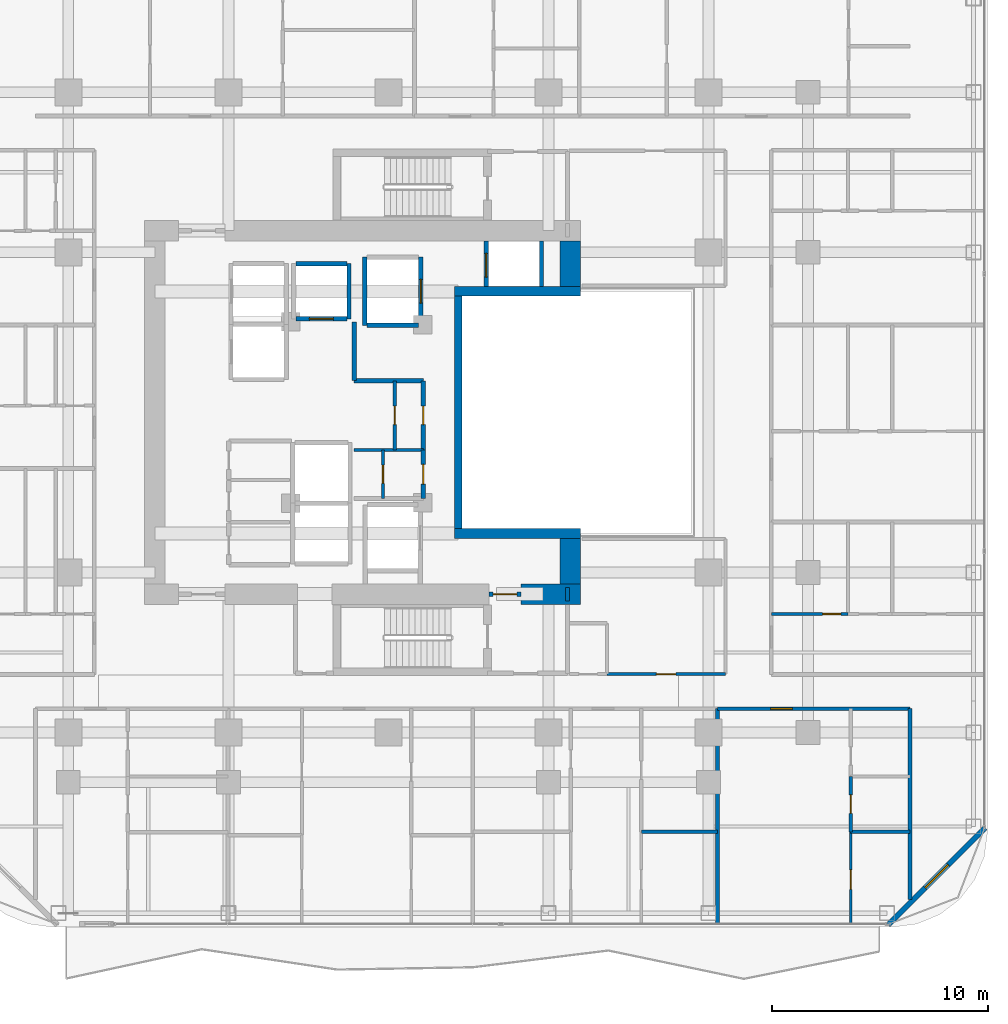
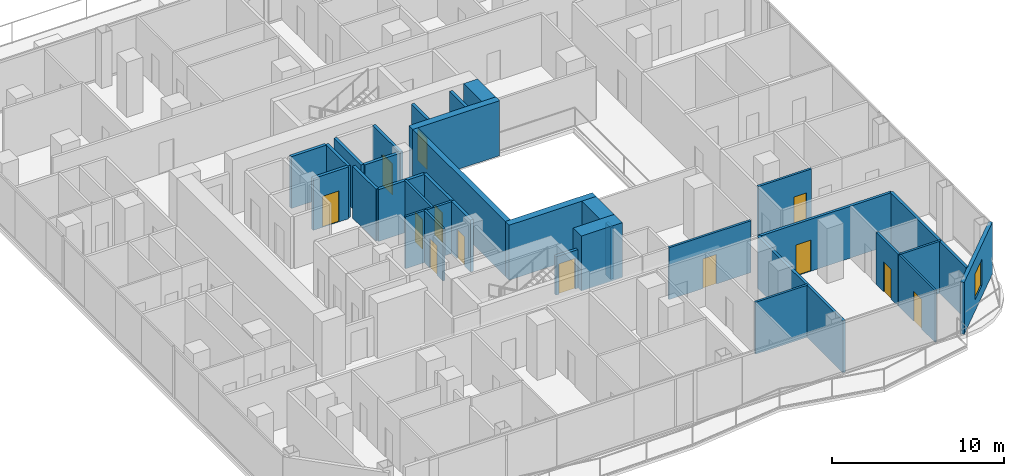
# One storey, part 23 of 29: 33 walls, 13 doors, 1 window, 14 openings.
"""IFC4 building model written with IfcOpenShell, lengths in metres."""

import ifcopenshell
import ifcopenshell.guid

model = None  # the IFC model being written
_history = None  # IfcOwnerHistory: only IFC2X3 demands one
_inside = {}  # id of a spatial element -> (the spatial element, [elements in it])
_under = {}  # id of a project, library or spatial element -> (it, [spatial elements below it])
_declared = {}  # id of a project -> (the project, [libraries it declares])
_typed = {}  # id of a type object -> (the type object, [elements of that type])
_made_of = {}  # id of a material, layer set ... -> (it, [elements and type objects made of it])


def new_model(schema):
    """Start an empty IFC model of exactly this schema.

    Asked for "IFC4X3", IfcOpenShell would pick the latest addendum, in which some entities
    have other attributes; the version numbers below select the first issue.
    IFC2X3 requires an IfcOwnerHistory on every rooted entity: one is made here for all.
    """
    global model, _history
    if schema == "IFC4X3":
        model = ifcopenshell.file(schema_version=(4, 3, 0, 0))
    else:
        model = ifcopenshell.file(schema=schema)
    _inside.clear()
    _under.clear()
    _declared.clear()
    _typed.clear()
    _made_of.clear()
    _history = None
    if model.schema == "IFC2X3":
        org = make("IfcOrganization", Name="unknown")
        user = make(
            "IfcPersonAndOrganization",
            ThePerson=make("IfcPerson", FamilyName="unknown"),
            TheOrganization=org,
        )
        app = make(
            "IfcApplication",
            ApplicationDeveloper=org,
            Version="unknown",
            ApplicationFullName="unknown",
            ApplicationIdentifier="unknown",
        )
        _history = make(
            "IfcOwnerHistory",
            OwningUser=user,
            OwningApplication=app,
            ChangeAction="ADDED",
            CreationDate=0,
        )
    return model


def make(cls, **values):
    """One entity of the class cls with the attributes given. An attribute that is None is left unset."""
    return model.create_entity(
        cls, **{name: value for name, value in values.items() if value is not None}
    )


def rooted(cls, **values):
    """An entity with a GlobalId (a new one), such as an element, a storey or a relation."""
    return make(cls, GlobalId=ifcopenshell.guid.new(), OwnerHistory=_history, **values)


def si_unit(unit_type, name, prefix=None):
    """IfcSIUnit, for example si_unit("LENGTHUNIT", "METRE", prefix="MILLI")."""
    return make("IfcSIUnit", UnitType=unit_type, Prefix=prefix, Name=name)


def assignment(units):
    """IfcUnitAssignment: the units of a project."""
    return None if units is None else make("IfcUnitAssignment", Units=units)


def point(xyz):
    """IfcCartesianPoint."""
    return None if xyz is None else make("IfcCartesianPoint", Coordinates=xyz)


def direction(xyz):
    """IfcDirection."""
    return None if xyz is None else make("IfcDirection", DirectionRatios=xyz)


def frame(location, z_axis=None, x_axis=None):
    """IfcAxis2Placement3D, a coordinate frame: its origin and axes. An axis left out is left unset."""
    return make(
        "IfcAxis2Placement3D",
        Location=point(location),
        Axis=direction(z_axis),
        RefDirection=direction(x_axis),
    )


def frame_2d(location, x_axis=None):
    """IfcAxis2Placement2D, a coordinate frame in the plane: its origin and x axis."""
    return make(
        "IfcAxis2Placement2D", Location=point(location), RefDirection=direction(x_axis)
    )


def origin():
    """The frame at (0, 0, 0) with its axes left unset."""
    return frame((0.0, 0.0, 0.0))


def place(relative_to, where):
    """IfcLocalPlacement: puts the frame where relative to a parent placement (None: the world)."""
    return make(
        "IfcLocalPlacement", PlacementRelTo=relative_to, RelativePlacement=where
    )


def context(
    kind, dimensions, precision=None, world=None, true_north=None, identifier=None
):
    """IfcGeometricRepresentationContext, for example the 3D "Model" context."""
    return make(
        "IfcGeometricRepresentationContext",
        ContextIdentifier=identifier,
        ContextType=kind,
        CoordinateSpaceDimension=dimensions,
        Precision=precision,
        WorldCoordinateSystem=world,
        TrueNorth=true_north,
    )


def subcontext(parent, identifier, kind, view, scale=None):
    """IfcGeometricRepresentationSubContext, for example "Body" below "Model"."""
    return make(
        "IfcGeometricRepresentationSubContext",
        ContextIdentifier=identifier,
        ContextType=kind,
        ParentContext=parent,
        TargetScale=scale,
        TargetView=view,
    )


def project(units=None, contexts=None):
    """IfcProject with its units and contexts."""
    return rooted(
        "IfcProject",
        Name="project",
        RepresentationContexts=contexts,
        UnitsInContext=assignment(units),
    )


def spatial(cls, under=None, at=None, **own):
    """A site, building, storey or space (cls), placed at a placement, below another one or the project."""
    s = rooted(cls, ObjectPlacement=at, **own)
    if under is not None:
        _under.setdefault(under.id(), (under, []))[1].append(s)
    return s


def profile(cls, at=None, kind="AREA", **sizes):
    """A parametric profile (cls). Its sizes go by their IFC names, for example OverallWidth=200.0."""
    return make(cls, ProfileType=kind, Position=at, **sizes)


def rectangle(**sizes):
    """IfcRectangleProfileDef."""
    return profile("IfcRectangleProfileDef", **sizes)


def extrude(swept, where, along, depth):
    """IfcExtrudedAreaSolid: the profile swept, set in the frame where, extruded along a direction by depth."""
    return make(
        "IfcExtrudedAreaSolid",
        SweptArea=swept,
        Position=where,
        ExtrudedDirection=direction(along),
        Depth=depth,
    )


def shape(context_of_items, identifier, shape_type, items):
    """IfcShapeRepresentation: the items that make up one representation, for example the "Body"."""
    return make(
        "IfcShapeRepresentation",
        ContextOfItems=context_of_items,
        RepresentationIdentifier=identifier,
        RepresentationType=shape_type,
        Items=items,
    )


def material(Name=None, Category=None):
    """IfcMaterial."""
    return make("IfcMaterial", Name=Name, Category=Category)


def layer(
    of_material, thickness, ventilated=None, Name=None, Category=None, Priority=None
):
    """IfcMaterialLayer: one layer of a wall or slab, of a material (None: an air gap)."""
    return make(
        "IfcMaterialLayer",
        Material=of_material,
        LayerThickness=thickness,
        IsVentilated=ventilated,
        Name=Name,
        Category=Category,
        Priority=Priority,
    )


def layer_set(layers, Name=None):
    """IfcMaterialLayerSet."""
    return make("IfcMaterialLayerSet", MaterialLayers=layers, LayerSetName=Name)


def made_of(thing, what):
    """Note that an element or type object is made of a material, layer set ...; save() writes the relation."""
    if what is not None:
        _made_of.setdefault(what.id(), (what, []))[1].append(thing)
    return thing


def type_object(cls, material=None, **own):
    """A type object (cls), such as IfcWallType, which elements share."""
    return made_of(rooted(cls, **own), material)


def element(
    cls,
    number,
    at=None,
    inside=None,
    cuts=None,
    type_object=None,
    material=None,
    context=None,
    identifier="Body",
    shape_type=None,
    held_by="IfcProductDefinitionShape",
    body=None,
    shapes=None,
    **own,
):
    """One element of the class cls, such as IfcWall. Its Tag is "e" and its number.

    at: its placement. inside: the storey or other place that contains it. cuts: it is an
    opening in that element (IfcRelVoidsElement). A single representation is given by context,
    identifier, shape_type and body (its items); several are given by shapes. held_by: the class
    of the entity that holds the representations. save() writes the other relations.
    """
    e = rooted(cls, Tag="e%d" % number, ObjectPlacement=at, **own)
    if body is not None:
        shapes = [shape(context, identifier, shape_type, body)]
    if shapes is not None:
        e.Representation = make(held_by, Representations=shapes)
    if inside is not None:
        _inside.setdefault(inside.id(), (inside, []))[1].append(e)
    if cuts is not None:
        rooted(
            "IfcRelVoidsElement", RelatingBuildingElement=cuts, RelatedOpeningElement=e
        )
    if type_object is not None:
        _typed.setdefault(type_object.id(), (type_object, []))[1].append(e)
    return made_of(e, material)


def fill(opening, filler):
    """IfcRelFillsElement: the door or window that sits in an opening."""
    return rooted(
        "IfcRelFillsElement",
        RelatingOpeningElement=opening,
        RelatedBuildingElement=filler,
    )


def aggregate(whole, parts):
    """IfcRelAggregates: a whole, such as a stair, and the parts it consists of."""
    return rooted("IfcRelAggregates", RelatingObject=whole, RelatedObjects=parts)


def save(model, path):
    """Write the relations noted so far, then the file.

    IfcRelAggregates (storeys below a building ...), IfcRelContainedInSpatialStructure (elements
    in a storey), IfcRelDefinesByType, IfcRelAssociatesMaterial and IfcRelDeclares: one each for
    every whole, place, type object, material and project.
    """
    for whole, parts in _under.values():
        aggregate(whole, parts)
    for where, things in _inside.values():
        rooted(
            "IfcRelContainedInSpatialStructure",
            RelatedElements=things,
            RelatingStructure=where,
        )
    for kind, things in _typed.values():
        rooted("IfcRelDefinesByType", RelatedObjects=things, RelatingType=kind)
    for what, things in _made_of.values():
        rooted("IfcRelAssociatesMaterial", RelatedObjects=things, RelatingMaterial=what)
    for by, libraries in _declared.values():
        rooted("IfcRelDeclares", RelatingContext=by, RelatedDefinitions=libraries)
    model.write(path)


model = new_model("IFC4")

# Units and contexts
model_context = context("Model", 3, precision=1e-05, world=origin(), true_north=direction((0.0, 1.0)))
body_context = subcontext(model_context, "Body", "Model", "MODEL_VIEW")
ifc_project = project(units=[si_unit("LENGTHUNIT", "METRE"), si_unit("AREAUNIT", "SQUARE_METRE"), si_unit("VOLUMEUNIT", "CUBIC_METRE"), si_unit("PLANEANGLEUNIT", "RADIAN"), si_unit("MASSUNIT", "GRAM", prefix="KILO")], contexts=[model_context])

# Site, building, storey
site_placement = place(None, origin())
site = spatial("IfcSite", under=ifc_project, at=site_placement, CompositionType="ELEMENT")
building_placement = place(site_placement, origin())
building = spatial("IfcBuilding", under=site, at=building_placement, Name="Khorvyn Point Tower", CompositionType="ELEMENT")
storey_placement = place(building_placement, frame((0.0, 0.0, 136.800048828125)))
storey = spatial("IfcBuildingStorey", under=building, at=storey_placement, Name="L34", CompositionType="ELEMENT", Elevation=136.800048828125)

# Wall, opening, door
ifc_material_1 = material(Name="Double acoustic gypsum on twin steel stud", Category="steel")
ifc_layer_1 = layer(ifc_material_1, 0.179931640625)
ifc_layer_set_1 = layer_set([ifc_layer_1], Name="Acoustic Double-Stud Apartment Demising Wall 180")
wall_type_1 = type_object("IfcWallType", Name="Acoustic Double-Stud Apartment Demising Wall 180", PredefinedType="PARTITIONING", material=ifc_layer_set_1)
wall_1_placement = place(storey_placement, frame((15.222900390625, -13.699951171875, 0.0), z_axis=(0.0, 0.0, 1.0), x_axis=(1.0, 0.0, 0.0)))
wall_1 = element("IfcWall", 1, at=wall_1_placement, inside=storey, type_object=wall_type_1, Name="Wall", PredefinedType="PARTITIONING", context=body_context, shape_type="SweptSolid", body=[
    extrude(rectangle(XDim=8.897216796875, YDim=0.179931640625, at=frame_2d((4.44873046875, 0.0))), origin(), (0.0, 0.0, 1.0), 3.679931640625),
])
opening_1_placement = place(wall_1_placement, frame((2.45068359375, 0.0, 0.0)))
opening_1 = element("IfcOpeningElement", 2, at=opening_1_placement, cuts=wall_1, Name="Opening ID-AP60", PredefinedType="OPENING", context=body_context, shape_type="SweptSolid", body=[
    extrude(rectangle(XDim=1.0, YDim=2.199951171875, at=frame_2d((0.5, 1.10009765625))), frame((0.0, 0.099853515625, 0.0), z_axis=(0.0, -1.0, 0.0), x_axis=(1.0, 0.0, 0.0)), (0.0, 0.0, 1.0), 0.199951171875),
])
ifc_material_2 = material(Name="Engineered hardwood fire-rated leaf", Category="wood")
door_type_1 = type_object("IfcDoorType", Name="Acoustic Solid-Core Timber Apartment Entrance Door 1000x2200", OperationType="NOTDEFINED", PredefinedType="DOOR", material=ifc_material_2)
door_1_placement = place(opening_1_placement, origin())
door_1 = element("IfcDoor", 3, at=door_1_placement, inside=storey, type_object=door_type_1, Name="Door", OperationType="SINGLE_SWING_LEFT", OverallHeight=2.199951171875, OverallWidth=1.0, PredefinedType="DOOR", context=body_context, shape_type="SweptSolid", body=[
    extrude(rectangle(XDim=1.0, YDim=2.199951171875, at=frame_2d((0.5, 1.10009765625))), frame((0.0, 0.02490234375, 0.0), z_axis=(0.0, -1.0, 0.0), x_axis=(1.0, 0.0, 0.0)), (0.0, 0.0, 1.0), 0.050048828125),
])
fill(opening_1, door_1)

# Walls
wall_2_placement = place(storey_placement, frame((24.1201171875, -22.510009765625, 0.0), z_axis=(0.0, 0.0, 1.0), x_axis=(0.0, 1.0, 0.0)))
element("IfcWall", 4, at=wall_2_placement, inside=storey, type_object=wall_type_1, Name="Wall", PredefinedType="PARTITIONING", context=body_context, shape_type="SweptSolid", body=[
    extrude(rectangle(XDim=8.81005859375, YDim=0.179931640625, at=frame_2d((4.405029296875, 0.0))), origin(), (0.0, 0.0, 1.0), 3.679931640625),
])
wall_3_placement = place(storey_placement, frame((15.222900390625, -23.6298828125, 0.0), z_axis=(0.0, 0.0, 1.0), x_axis=(0.0, 1.0, 0.0)))
element("IfcWall", 5, at=wall_3_placement, inside=storey, type_object=wall_type_1, Name="Wall", PredefinedType="PARTITIONING", context=body_context, shape_type="SweptSolid", body=[
    extrude(rectangle(XDim=9.929931640625, YDim=0.179931640625, at=frame_2d((4.96484375, 0.0))), origin(), (0.0, 0.0, 1.0), 3.679931640625),
])

# Wall, opening, window
ifc_material_3 = material(Name="Pale anodised aluminium rainscreen on steel stud", Category="steel")
ifc_layer_2 = layer(ifc_material_3, 0.239990234375)
ifc_layer_set_2 = layer_set([ifc_layer_2], Name="Anodised Aluminium Insulated Corner Spandrel Wall 240")
wall_type_2 = type_object("IfcWallType", Name="Anodised Aluminium Insulated Corner Spandrel Wall 240", PredefinedType="SOLIDWALL", material=ifc_layer_set_2)
wall_4_placement = place(storey_placement, frame((27.59228515625, -19.20751953125, 0.0), z_axis=(0.0, 0.0, 1.0), x_axis=(-0.707087534163, -0.707126027686, 0.0)))
wall_4 = element("IfcWall", 6, at=wall_4_placement, inside=storey, type_object=wall_type_2, Name="L34 Rounded Corner Wall SE", PredefinedType="SOLIDWALL", context=body_context, shape_type="SweptSolid", body=[
    extrude(rectangle(XDim=6.34228515625, YDim=0.239990234375, at=frame_2d((3.171142578125, 0.0))), origin(), (0.0, 0.0, 1.0), 3.679931640625),
])
opening_2_placement = place(wall_4_placement, frame((2.42138671875, 0.0, 0.800048828125)))
opening_2 = element("IfcOpeningElement", 7, at=opening_2_placement, cuts=wall_4, Name="Opening WN-1518", PredefinedType="OPENING", context=body_context, shape_type="SweptSolid", body=[
    extrude(rectangle(XDim=1.5, YDim=1.85009765625, at=frame_2d((0.75, 0.925048828125))), frame((0.0, 0.1298828125, 0.0), z_axis=(0.0, -1.0, 0.0), x_axis=(1.0, 0.0, 0.0)), (0.0, 0.0, 1.0), 0.260009765625),
])
ifc_material_4 = material(Name="Anodised aluminium 6063-T6 and laminated Low-E glass", Category="aluminium")
window_type = type_object("IfcWindowType", Name="Anodised Aluminium Rounded-Corner Panoramic Window 1500x1850", PartitioningType="SINGLE_PANEL", PredefinedType="WINDOW", material=ifc_material_4)
window_placement = place(opening_2_placement, origin())
window = element("IfcWindow", 8, at=window_placement, inside=storey, type_object=window_type, Name="L34 Corner Panoramic Window SE", OverallHeight=1.85009765625, OverallWidth=1.5, PartitioningType="SINGLE_PANEL", PredefinedType="WINDOW", context=body_context, shape_type="SweptSolid", body=[
    extrude(rectangle(XDim=1.5, YDim=1.85009765625, at=frame_2d((0.75, 0.925048828125))), frame((0.0, 0.030029296875, 0.0), z_axis=(0.0, -1.0, 0.0), x_axis=(1.0, 0.0, 0.0)), (0.0, 0.0, 1.0), 0.06005859375),
])
fill(opening_2, window)

# Walls
ifc_material_5 = material(Name="Concrete C40/50", Category="concrete")
ifc_layer_3 = layer(ifc_material_5, 0.449951171875)
ifc_layer_set_3 = layer_set([ifc_layer_3], Name="Concrete C40/50 Core Shear Wall 450")
wall_type_3 = type_object("IfcWallType", Name="Concrete C40/50 Core Shear Wall 450", PredefinedType="SHEAR", material=ifc_layer_set_3)
for number, where, z_axis, x_axis, name in (
    (9, (3.044921875, -5.60009765625, 0.0), (0.0, 0.0, 1.0), (1.0, 0.0, 0.0), "Wall"),
    (10, (3.044921875, 5.60009765625, 0.0), (0.0, 0.0, 1.0), (1.0, 0.0, 0.0), "Wall"),
):
    element("IfcWall", number, at=place(storey_placement, frame(where, z_axis=z_axis, x_axis=x_axis)), inside=storey, type_object=wall_type_3, Name=name, PredefinedType="SHEAR", context=body_context, shape_type="SweptSolid", body=[
        extrude(rectangle(XDim=5.830078125, YDim=0.449951171875, at=frame_2d((2.9150390625, 0.0))), origin(), (0.0, 0.0, 1.0), 3.89990234375),
    ])

# Wall, opening, door
ifc_layer_4 = layer(ifc_material_5, 0.199951171875)
ifc_layer_set_4 = layer_set([ifc_layer_4], Name="Concrete C40/50 Fire-Lobby Compartment Wall 200")
wall_type_4 = type_object("IfcWallType", Name="Concrete C40/50 Fire-Lobby Compartment Wall 200", PredefinedType="SOLIDWALL", material=ifc_layer_set_4)
wall_5_placement = place(storey_placement, frame((4.64990234375, -8.39990234375, 0.0), z_axis=(0.0, 0.0, 1.0), x_axis=(1.0, 0.0, 0.0)))
wall_5 = element("IfcWall", 11, at=wall_5_placement, inside=storey, type_object=wall_type_4, Name="Wall", PredefinedType="SOLIDWALL", context=body_context, shape_type="SweptSolid", body=[
    extrude(rectangle(XDim=1.47021484375, YDim=0.199951171875, at=frame_2d((0.735107421875, 0.0))), origin(), (0.0, 0.0, 1.0), 2.719970703125),
])
opening_3_placement = place(wall_5_placement, frame((0.18505859375, 0.0, 0.0)))
opening_3 = element("IfcOpeningElement", 12, at=opening_3_placement, cuts=wall_5, Name="Opening ID-FL90", PredefinedType="OPENING", context=body_context, shape_type="SweptSolid", body=[
    extrude(rectangle(XDim=1.10009765625, YDim=2.14990234375, at=frame_2d((0.550048828125, 1.074951171875))), frame((0.0, 0.10986328125, 0.0), z_axis=(0.0, -1.0, 0.0), x_axis=(1.0, 0.0, 0.0)), (0.0, 0.0, 1.0), 0.219970703125),
])
ifc_material_6 = material(Name="Galvanised powder-coated steel", Category="steel")
door_type_2 = type_object("IfcDoorType", Name="Fire-Rated Steel Lobby and Stair Door 1100x2150", OperationType="NOTDEFINED", PredefinedType="DOOR", material=ifc_material_6)
door_2_placement = place(opening_3_placement, origin())
door_2 = element("IfcDoor", 13, at=door_2_placement, inside=storey, type_object=door_type_2, Name="Door", OperationType="SINGLE_SWING_LEFT", OverallHeight=2.14990234375, OverallWidth=1.10009765625, PredefinedType="DOOR", context=body_context, shape_type="SweptSolid", body=[
    extrude(rectangle(XDim=1.10009765625, YDim=2.14990234375, at=frame_2d((0.550048828125, 1.074951171875))), frame((0.0, 0.02490234375, 0.0), z_axis=(0.0, -1.0, 0.0), x_axis=(1.0, 0.0, 0.0)), (0.0, 0.0, 1.0), 0.050048828125),
])
fill(opening_3, door_2)

wall_6_placement = place(storey_placement, frame((1.610107421875, -3.97998046875, 0.0), z_axis=(0.0, 0.0, 1.0), x_axis=(0.0, 1.0, 0.0)))
wall_6 = element("IfcWall", 14, at=wall_6_placement, inside=storey, type_object=wall_type_4, Name="Wall", PredefinedType="SOLIDWALL", context=body_context, shape_type="SweptSolid", body=[
    extrude(rectangle(XDim=2.240966796875, YDim=0.199951171875, at=frame_2d((1.12060546875, 0.0))), origin(), (0.0, 0.0, 1.0), 3.679931640625),
])
opening_4_placement = place(wall_6_placement, frame((0.660400390625, 0.0, 0.0)))
opening_4 = element("IfcOpeningElement", 15, at=opening_4_placement, cuts=wall_6, Name="Opening ID-RS60", PredefinedType="OPENING", context=body_context, shape_type="SweptSolid", body=[
    extrude(rectangle(XDim=0.919921875, YDim=2.10009765625, at=frame_2d((0.4599609375, 1.050048828125))), frame((0.0, 0.10986328125, 0.0), z_axis=(0.0, -1.0, 0.0), x_axis=(1.0, 0.0, 0.0)), (0.0, 0.0, 1.0), 0.219970703125),
])
door_type_3 = type_object("IfcDoorType", Name="Fire-Rated Riser and Store Steel Door 920x2100", OperationType="NOTDEFINED", PredefinedType="DOOR", material=ifc_material_6)
door_3_placement = place(opening_4_placement, origin())
door_3 = element("IfcDoor", 16, at=door_3_placement, inside=storey, type_object=door_type_3, Name="Door", OperationType="SINGLE_SWING_RIGHT", OverallHeight=2.10009765625, OverallWidth=0.919921875, PredefinedType="DOOR", context=body_context, shape_type="SweptSolid", body=[
    extrude(rectangle(XDim=0.919921875, YDim=2.10009765625, at=frame_2d((0.4599609375, 1.050048828125))), frame((0.0, 0.02490234375, 0.0), z_axis=(0.0, -1.0, 0.0), x_axis=(1.0, 0.0, 0.0)), (0.0, 0.0, 1.0), 0.050048828125),
])
fill(opening_4, door_3)

wall_7_placement = place(storey_placement, frame((1.610107421875, -1.739013671875, 0.0), z_axis=(0.0, 0.0, 1.0), x_axis=(0.0, 1.0, 0.0)))
wall_7 = element("IfcWall", 17, at=wall_7_placement, inside=storey, type_object=wall_type_4, Name="Wall", PredefinedType="SOLIDWALL", context=body_context, shape_type="SweptSolid", body=[
    extrude(rectangle(XDim=3.198974609375, YDim=0.199951171875, at=frame_2d((1.599609375, 0.0))), origin(), (0.0, 0.0, 1.0), 3.679931640625),
])
opening_5_placement = place(wall_7_placement, frame((1.174560546875, 0.0, 0.0)))
opening_5 = element("IfcOpeningElement", 18, at=opening_5_placement, cuts=wall_7, Name="Opening ID-WC85", PredefinedType="OPENING", context=body_context, shape_type="SweptSolid", body=[
    extrude(rectangle(XDim=0.85009765625, YDim=2.10009765625, at=frame_2d((0.425048828125, 1.050048828125))), frame((0.0, 0.10986328125, 0.0), z_axis=(0.0, -1.0, 0.0), x_axis=(1.0, 0.0, 0.0)), (0.0, 0.0, 1.0), 0.219970703125),
])
ifc_material_7 = material(Name="High-pressure laminate on moisture-resistant core", Category="wood")
door_type_4 = type_object("IfcDoorType", Name="Moisture-Resistant Accessible Washroom Door 850x2100", OperationType="NOTDEFINED", PredefinedType="DOOR", material=ifc_material_7)
door_4_placement = place(opening_5_placement, origin())
door_4 = element("IfcDoor", 19, at=door_4_placement, inside=storey, type_object=door_type_4, Name="Door", OperationType="SINGLE_SWING_LEFT", OverallHeight=2.10009765625, OverallWidth=0.85009765625, PredefinedType="DOOR", context=body_context, shape_type="SweptSolid", body=[
    extrude(rectangle(XDim=0.85009765625, YDim=2.10009765625, at=frame_2d((0.425048828125, 1.050048828125))), frame((0.0, 0.02490234375, 0.0), z_axis=(0.0, -1.0, 0.0), x_axis=(1.0, 0.0, 0.0)), (0.0, 0.0, 1.0), 0.050048828125),
])
fill(opening_5, door_4)

# Walls
wall_8_placement = place(storey_placement, frame((-1.580078125, 1.47998046875, 0.0), z_axis=(0.0, 0.0, 1.0), x_axis=(0.0, 1.0, 0.0)))
element("IfcWall", 20, at=wall_8_placement, inside=storey, type_object=wall_type_4, Name="Wall", PredefinedType="SOLIDWALL", context=body_context, shape_type="SweptSolid", body=[
    extrude(rectangle(XDim=2.699951171875, YDim=0.199951171875, at=frame_2d((1.35009765625, 0.0))), origin(), (0.0, 0.0, 1.0), 3.679931640625),
])
wall_9_placement = place(storey_placement, frame((-1.580078125, 1.4599609375, 0.0), z_axis=(0.0, 0.0, 1.0), x_axis=(1.0, 0.0, 0.0)))
element("IfcWall", 21, at=wall_9_placement, inside=storey, type_object=wall_type_4, Name="Wall", PredefinedType="SOLIDWALL", context=body_context, shape_type="SweptSolid", body=[
    extrude(rectangle(XDim=3.190185546875, YDim=0.199951171875, at=frame_2d((1.59521484375, 0.0))), origin(), (0.0, 0.0, 1.0), 3.679931640625),
])
wall_10_placement = place(storey_placement, frame((8.280029296875, -8.72509765625, 0.0), z_axis=(0.0, 0.0, 1.0), x_axis=(0.0, 1.0, 0.0)))
element("IfcWall", 22, at=wall_10_placement, inside=storey, type_object=wall_type_4, Name="Wall", PredefinedType="SOLIDWALL", context=body_context, shape_type="SweptSolid", body=[
    extrude(rectangle(XDim=0.625, YDim=0.199951171875, at=frame_2d((0.3125, 0.0))), origin(), (0.0, 0.0, 1.0), 3.679931640625),
])
ifc_layer_5 = layer(ifc_material_5, 0.35009765625)
ifc_layer_set_5 = layer_set([ifc_layer_5], Name="Concrete C40/50 Stair Shaft Structural Wall 350")
wall_type_5 = type_object("IfcWallType", Name="Concrete C40/50 Stair Shaft Structural Wall 350", PredefinedType="SHEAR", material=ifc_layer_set_5)
wall_11_placement = place(storey_placement, frame((3.219970703125, -5.375, 0.0), z_axis=(0.0, 0.0, 1.0), x_axis=(0.0, 1.0, 0.0)))
element("IfcWall", 23, at=wall_11_placement, inside=storey, type_object=wall_type_5, Name="Wall", PredefinedType="SHEAR", context=body_context, shape_type="SweptSolid", body=[
    extrude(rectangle(XDim=10.75, YDim=0.35009765625, at=frame_2d((5.375, 0.0))), origin(), (0.0, 0.0, 1.0), 3.89990234375),
])
ifc_layer_6 = layer(ifc_material_5, 0.199951171875)
ifc_layer_set_6 = layer_set([ifc_layer_6], Name="Concrete C40/50 Structural Hoistway and Stair Shaft Wall 200")
wall_type_6 = type_object("IfcWallType", Name="Concrete C40/50 Structural Hoistway and Stair Shaft Wall 200", PredefinedType="SHEAR", material=ifc_layer_set_6)
wall_12_placement = place(storey_placement, frame((-1.824951171875, 4.324951171875, 0.0), z_axis=(0.0, 0.0, 1.0), x_axis=(0.0, 1.0, 0.0)))
element("IfcWall", 24, at=wall_12_placement, inside=storey, type_object=wall_type_6, Name="Wall", PredefinedType="SHEAR", context=body_context, shape_type="SweptSolid", body=[
    extrude(rectangle(XDim=2.550048828125, YDim=0.199951171875, at=frame_2d((1.27490234375, 0.0))), origin(), (0.0, 0.0, 1.0), 3.679931640625),
])

# Wall, opening, door
wall_13_placement = place(storey_placement, frame((-4.27490234375, 4.324951171875, 0.0), z_axis=(0.0, 0.0, 1.0), x_axis=(1.0, 0.0, 0.0)))
wall_13 = element("IfcWall", 25, at=wall_13_placement, inside=storey, type_object=wall_type_6, Name="Wall", PredefinedType="SHEAR", context=body_context, shape_type="SweptSolid", body=[
    extrude(rectangle(XDim=2.349853515625, YDim=0.199951171875, at=frame_2d((1.1748046875, 0.0))), origin(), (0.0, 0.0, 1.0), 3.679931640625),
])
opening_6_placement = place(wall_13_placement, frame((0.625, 0.0, 0.0)))
opening_6 = element("IfcOpeningElement", 26, at=opening_6_placement, cuts=wall_13, Name="Opening LD-1122", PredefinedType="OPENING", context=body_context, shape_type="SweptSolid", body=[
    extrude(rectangle(XDim=1.10009765625, YDim=2.199951171875, at=frame_2d((0.550048828125, 1.10009765625))), frame((0.0, 0.10986328125, 0.0), z_axis=(0.0, -1.0, 0.0), x_axis=(1.0, 0.0, 0.0)), (0.0, 0.0, 1.0), 0.219970703125),
])
ifc_material_8 = material(Name="Stainless steel 1.4301", Category="steel")
door_type_5 = type_object("IfcDoorType", Name="Stainless Steel Automatic Sliding Lift Landing Door 1100x2200", OperationType="SLIDING_TO_LEFT", PredefinedType="DOOR", material=ifc_material_8)
door_5_placement = place(opening_6_placement, origin())
door_5 = element("IfcDoor", 27, at=door_5_placement, inside=storey, type_object=door_type_5, Name="L34 RM-03 Sliding Lift Landing Door", OperationType="SLIDING_TO_LEFT", OverallHeight=2.199951171875, OverallWidth=1.10009765625, PredefinedType="DOOR", context=body_context, shape_type="SweptSolid", body=[
    extrude(rectangle(XDim=1.10009765625, YDim=2.199951171875, at=frame_2d((0.550048828125, 1.10009765625))), frame((0.0, 0.02490234375, 0.0), z_axis=(0.0, -1.0, 0.0), x_axis=(1.0, 0.0, 0.0)), (0.0, 0.0, 1.0), 0.050048828125),
])
fill(opening_6, door_5)

# Walls
wall_14_placement = place(storey_placement, frame((-4.27490234375, 6.875, 0.0), z_axis=(0.0, 0.0, 1.0), x_axis=(1.0, 0.0, 0.0)))
element("IfcWall", 28, at=wall_14_placement, inside=storey, type_object=wall_type_6, Name="Wall", PredefinedType="SHEAR", context=body_context, shape_type="SweptSolid", body=[
    extrude(rectangle(XDim=2.349853515625, YDim=0.199951171875, at=frame_2d((1.1748046875, 0.0))), origin(), (0.0, 0.0, 1.0), 3.679931640625),
])
wall_15_placement = place(storey_placement, frame((-1.10009765625, 4.02490234375, 0.0), z_axis=(0.0, 0.0, 1.0), x_axis=(0.0, 1.0, 0.0)))
element("IfcWall", 29, at=wall_15_placement, inside=storey, type_object=wall_type_6, Name="Wall", PredefinedType="SHEAR", context=body_context, shape_type="SweptSolid", body=[
    extrude(rectangle(XDim=3.150146484375, YDim=0.199951171875, at=frame_2d((1.5751953125, 0.0))), origin(), (0.0, 0.0, 1.0), 3.679931640625),
])

# Wall, opening, door
wall_16_placement = place(storey_placement, frame((1.5, 4.02490234375, 0.0), z_axis=(0.0, 0.0, 1.0), x_axis=(0.0, 1.0, 0.0)))
wall_16 = element("IfcWall", 30, at=wall_16_placement, inside=storey, type_object=wall_type_6, Name="Wall", PredefinedType="SHEAR", context=body_context, shape_type="SweptSolid", body=[
    extrude(rectangle(XDim=3.150146484375, YDim=0.199951171875, at=frame_2d((1.5751953125, 0.0))), origin(), (0.0, 0.0, 1.0), 3.679931640625),
])
opening_7_placement = place(wall_16_placement, frame((1.02490234375, 0.0, 0.0)))
opening_7 = element("IfcOpeningElement", 31, at=opening_7_placement, cuts=wall_16, Name="Opening LD-1122", PredefinedType="OPENING", context=body_context, shape_type="SweptSolid", body=[
    extrude(rectangle(XDim=1.10009765625, YDim=2.199951171875, at=frame_2d((0.550048828125, 1.10009765625))), frame((0.0, 0.10986328125, 0.0), z_axis=(0.0, -1.0, 0.0), x_axis=(1.0, 0.0, 0.0)), (0.0, 0.0, 1.0), 0.219970703125),
])
door_6_placement = place(opening_7_placement, origin())
door_6 = element("IfcDoor", 32, at=door_6_placement, inside=storey, type_object=door_type_5, Name="L34 SV-01 Sliding Lift Landing Door", OperationType="SLIDING_TO_LEFT", OverallHeight=2.199951171875, OverallWidth=1.10009765625, PredefinedType="DOOR", context=body_context, shape_type="SweptSolid", body=[
    extrude(rectangle(XDim=1.10009765625, YDim=2.199951171875, at=frame_2d((0.550048828125, 1.10009765625))), frame((0.0, 0.02490234375, 0.0), z_axis=(0.0, -1.0, 0.0), x_axis=(1.0, 0.0, 0.0)), (0.0, 0.0, 1.0), 0.050048828125),
])
fill(opening_7, door_6)

# Wall
wall_17_placement = place(storey_placement, frame((-1.0, 4.02490234375, 0.0), z_axis=(0.0, 0.0, 1.0), x_axis=(1.0, 0.0, 0.0)))
element("IfcWall", 33, at=wall_17_placement, inside=storey, type_object=wall_type_6, Name="Wall", PredefinedType="SHEAR", context=body_context, shape_type="SweptSolid", body=[
    extrude(rectangle(XDim=2.39990234375, YDim=0.199951171875, at=frame_2d((1.199951171875, 0.0))), origin(), (0.0, 0.0, 1.0), 3.679931640625),
])

# Wall, opening, door
wall_18_placement = place(storey_placement, frame((4.52490234375, 5.824951171875, 0.0), z_axis=(0.0, 0.0, 1.0), x_axis=(0.0, 1.0, 0.0)))
wall_18 = element("IfcWall", 34, at=wall_18_placement, inside=storey, type_object=wall_type_6, Name="Wall", PredefinedType="SHEAR", context=body_context, shape_type="SweptSolid", body=[
    extrude(rectangle(XDim=2.10009765625, YDim=0.199951171875, at=frame_2d((1.050048828125, 0.0))), origin(), (0.0, 0.0, 1.0), 3.679931640625),
])
opening_8_placement = place(wall_18_placement, frame((0.425048828125, 0.0, 0.0)))
opening_8 = element("IfcOpeningElement", 35, at=opening_8_placement, cuts=wall_18, Name="Opening LD-1122", PredefinedType="OPENING", context=body_context, shape_type="SweptSolid", body=[
    extrude(rectangle(XDim=1.10009765625, YDim=2.199951171875, at=frame_2d((0.550048828125, 1.10009765625))), frame((0.0, 0.10986328125, 0.0), z_axis=(0.0, -1.0, 0.0), x_axis=(1.0, 0.0, 0.0)), (0.0, 0.0, 1.0), 0.219970703125),
])
door_7_placement = place(opening_8_placement, origin())
door_7 = element("IfcDoor", 36, at=door_7_placement, inside=storey, type_object=door_type_5, Name="L34 FF-02 Sliding Lift Landing Door", OperationType="SLIDING_TO_LEFT", OverallHeight=2.199951171875, OverallWidth=1.10009765625, PredefinedType="DOOR", context=body_context, shape_type="SweptSolid", body=[
    extrude(rectangle(XDim=1.10009765625, YDim=2.199951171875, at=frame_2d((0.550048828125, 1.10009765625))), frame((0.0, 0.02490234375, 0.0), z_axis=(0.0, -1.0, 0.0), x_axis=(1.0, 0.0, 0.0)), (0.0, 0.0, 1.0), 0.050048828125),
])
fill(opening_8, door_7)

# Walls
wall_19_placement = place(storey_placement, frame((7.074951171875, 5.824951171875, 0.0), z_axis=(0.0, 0.0, 1.0), x_axis=(0.0, 1.0, 0.0)))
element("IfcWall", 37, at=wall_19_placement, inside=storey, type_object=wall_type_6, Name="Wall", PredefinedType="SHEAR", context=body_context, shape_type="SweptSolid", body=[
    extrude(rectangle(XDim=2.10009765625, YDim=0.199951171875, at=frame_2d((1.050048828125, 0.0))), origin(), (0.0, 0.0, 1.0), 3.679931640625),
])
ifc_material_9 = material(Name="Concrete C50/60", Category="concrete")
ifc_layer_7 = layer(ifc_material_9, 0.949951171875)
ifc_layer_set_7 = layer_set([ifc_layer_7], Name="Concrete C50/60 Core Shear Wall 950")
wall_type_7 = type_object("IfcWallType", Name="Concrete C50/60 Core Shear Wall 950", PredefinedType="SHEAR", material=ifc_layer_set_7)
wall_20_placement = place(storey_placement, frame((6.1201171875, -8.39990234375, 0.0), z_axis=(0.0, 0.0, 1.0), x_axis=(1.0, 0.0, 0.0)))
element("IfcWall", 38, at=wall_20_placement, inside=storey, type_object=wall_type_7, Name="Wall", PredefinedType="SHEAR", context=body_context, shape_type="SweptSolid", body=[
    extrude(rectangle(XDim=2.7548828125, YDim=0.949951171875, at=frame_2d((1.37744140625, 0.0))), origin(), (0.0, 0.0, 1.0), 3.89990234375),
])
for number, where, z_axis, x_axis, name in (
    (39, (8.39990234375, -7.925048828125, 0.0), (0.0, 0.0, 1.0), (0.0, 1.0, 0.0), "Wall"),
    (40, (8.39990234375, 5.824951171875, 0.0), (0.0, 0.0, 1.0), (0.0, 1.0, 0.0), "Wall"),
):
    element("IfcWall", number, at=place(storey_placement, frame(where, z_axis=z_axis, x_axis=x_axis)), inside=storey, type_object=wall_type_7, Name=name, PredefinedType="SHEAR", context=body_context, shape_type="SweptSolid", body=[
        extrude(rectangle(XDim=2.10009765625, YDim=0.949951171875, at=frame_2d((1.050048828125, 0.0))), origin(), (0.0, 0.0, 1.0), 3.89990234375),
    ])

# Wall, opening, door
ifc_material_10 = material(Name="Gypsum plasterboard on steel stud", Category="steel")
ifc_layer_8 = layer(ifc_material_10, 0.1201171875)
ifc_layer_set_8 = layer_set([ifc_layer_8], Name="Gypsum Acoustic Stud Room Partition Wall 120")
wall_type_8 = type_object("IfcWallType", Name="Gypsum Acoustic Stud Room Partition Wall 120", PredefinedType="PARTITIONING", material=ifc_layer_set_8)
wall_21_placement = place(storey_placement, frame((21.3701171875, -23.6298828125, 0.0), z_axis=(0.0, 0.0, 1.0), x_axis=(0.0, 1.0, 0.0)))
wall_21 = element("IfcWall", 41, at=wall_21_placement, inside=storey, type_object=wall_type_8, Name="Wall", PredefinedType="PARTITIONING", context=body_context, shape_type="SweptSolid", body=[
    extrude(rectangle(XDim=4.239990234375, YDim=0.1201171875, at=frame_2d((2.1201171875, 0.0))), origin(), (0.0, 0.0, 1.0), 3.679931640625),
])
opening_9_placement = place(wall_21_placement, frame((1.581298828125, 0.0, 0.0)))
opening_9 = element("IfcOpeningElement", 42, at=opening_9_placement, cuts=wall_21, Name="Opening ID-RM90", PredefinedType="OPENING", context=body_context, shape_type="SweptSolid", body=[
    extrude(rectangle(XDim=0.89990234375, YDim=2.10009765625, at=frame_2d((0.449951171875, 1.050048828125))), frame((0.0, 0.070068359375, 0.0), z_axis=(0.0, -1.0, 0.0), x_axis=(1.0, 0.0, 0.0)), (0.0, 0.0, 1.0), 0.14013671875),
])
ifc_material_11 = material(Name="Engineered oak veneer timber", Category="wood")
door_type_6 = type_object("IfcDoorType", Name="Flush Engineered Timber Room Door 900x2100", OperationType="NOTDEFINED", PredefinedType="DOOR", material=ifc_material_11)
door_8_placement = place(opening_9_placement, origin())
door_8 = element("IfcDoor", 43, at=door_8_placement, inside=storey, type_object=door_type_6, Name="Door", OperationType="SINGLE_SWING_RIGHT", OverallHeight=2.10009765625, OverallWidth=0.89990234375, PredefinedType="DOOR", context=body_context, shape_type="SweptSolid", body=[
    extrude(rectangle(XDim=0.89990234375, YDim=2.10009765625, at=frame_2d((0.449951171875, 1.050048828125))), frame((0.0, 0.02490234375, 0.0), z_axis=(0.0, -1.0, 0.0), x_axis=(1.0, 0.0, 0.0)), (0.0, 0.0, 1.0), 0.050048828125),
])
fill(opening_9, door_8)

ifc_material_12 = material(Name="Moisture-resistant gypsum and cement board", Category="gypsum")
ifc_layer_9 = layer(ifc_material_12, 0.14990234375)
ifc_layer_set_9 = layer_set([ifc_layer_9], Name="Moisture-Resistant Wet-Room Partition Wall 150")
wall_type_9 = type_object("IfcWallType", Name="Moisture-Resistant Wet-Room Partition Wall 150", PredefinedType="PARTITIONING", material=ifc_layer_set_9)
wall_22_placement = place(storey_placement, frame((-0.25, -3.97998046875, 0.0), z_axis=(0.0, 0.0, 1.0), x_axis=(0.0, 1.0, 0.0)))
wall_22 = element("IfcWall", 44, at=wall_22_placement, inside=storey, type_object=wall_type_9, Name="Wall", PredefinedType="PARTITIONING", context=body_context, shape_type="SweptSolid", body=[
    extrude(rectangle(XDim=2.240966796875, YDim=0.14990234375, at=frame_2d((1.12060546875, 0.0))), origin(), (0.0, 0.0, 1.0), 3.679931640625),
])
opening_10_placement = place(wall_22_placement, frame((0.695556640625, 0.0, 0.0)))
opening_10 = element("IfcOpeningElement", 45, at=opening_10_placement, cuts=wall_22, Name="Opening ID-WC85", PredefinedType="OPENING", context=body_context, shape_type="SweptSolid", body=[
    extrude(rectangle(XDim=0.85009765625, YDim=2.10009765625, at=frame_2d((0.425048828125, 1.050048828125))), frame((0.0, 0.0849609375, 0.0), z_axis=(0.0, -1.0, 0.0), x_axis=(1.0, 0.0, 0.0)), (0.0, 0.0, 1.0), 0.169921875),
])
door_9_placement = place(opening_10_placement, origin())
door_9 = element("IfcDoor", 46, at=door_9_placement, inside=storey, type_object=door_type_4, Name="Door", OperationType="SINGLE_SWING_RIGHT", OverallHeight=2.10009765625, OverallWidth=0.85009765625, PredefinedType="DOOR", context=body_context, shape_type="SweptSolid", body=[
    extrude(rectangle(XDim=0.85009765625, YDim=2.10009765625, at=frame_2d((0.425048828125, 1.050048828125))), frame((0.0, 0.02490234375, 0.0), z_axis=(0.0, -1.0, 0.0), x_axis=(1.0, 0.0, 0.0)), (0.0, 0.0, 1.0), 0.050048828125),
])
fill(opening_10, door_9)

wall_23_placement = place(storey_placement, frame((0.2900390625, -1.739013671875, 0.0), z_axis=(0.0, 0.0, 1.0), x_axis=(0.0, 1.0, 0.0)))
wall_23 = element("IfcWall", 47, at=wall_23_placement, inside=storey, type_object=wall_type_9, Name="Wall", PredefinedType="PARTITIONING", context=body_context, shape_type="SweptSolid", body=[
    extrude(rectangle(XDim=3.198974609375, YDim=0.14990234375, at=frame_2d((1.599609375, 0.0))), origin(), (0.0, 0.0, 1.0), 3.679931640625),
])
opening_11_placement = place(wall_23_placement, frame((1.174560546875, 0.0, 0.0)))
opening_11 = element("IfcOpeningElement", 48, at=opening_11_placement, cuts=wall_23, Name="Opening ID-WC85", PredefinedType="OPENING", context=body_context, shape_type="SweptSolid", body=[
    extrude(rectangle(XDim=0.85009765625, YDim=2.10009765625, at=frame_2d((0.425048828125, 1.050048828125))), frame((0.0, 0.0849609375, 0.0), z_axis=(0.0, -1.0, 0.0), x_axis=(1.0, 0.0, 0.0)), (0.0, 0.0, 1.0), 0.169921875),
])
door_10_placement = place(opening_11_placement, origin())
door_10 = element("IfcDoor", 49, at=door_10_placement, inside=storey, type_object=door_type_4, Name="Door", OperationType="SINGLE_SWING_LEFT", OverallHeight=2.10009765625, OverallWidth=0.85009765625, PredefinedType="DOOR", context=body_context, shape_type="SweptSolid", body=[
    extrude(rectangle(XDim=0.85009765625, YDim=2.10009765625, at=frame_2d((0.425048828125, 1.050048828125))), frame((0.0, 0.02490234375, 0.0), z_axis=(0.0, -1.0, 0.0), x_axis=(1.0, 0.0, 0.0)), (0.0, 0.0, 1.0), 0.050048828125),
])
fill(opening_11, door_10)

wall_24_placement = place(storey_placement, frame((10.10009765625, -12.10009765625, 0.0), z_axis=(0.0, 0.0, 1.0), x_axis=(1.0, 0.0, 0.0)))
wall_24 = element("IfcWall", 50, at=wall_24_placement, inside=storey, type_object=wall_type_9, Name="Wall", PredefinedType="PARTITIONING", context=body_context, shape_type="SweptSolid", body=[
    extrude(rectangle(XDim=5.47998046875, YDim=0.14990234375, at=frame_2d((2.739990234375, 0.0))), origin(), (0.0, 0.0, 1.0), 3.679931640625),
])
opening_12_placement = place(wall_24_placement, frame((2.2900390625, 0.0, 0.0)))
opening_12 = element("IfcOpeningElement", 51, at=opening_12_placement, cuts=wall_24, Name="Opening ID-RM90", PredefinedType="OPENING", context=body_context, shape_type="SweptSolid", body=[
    extrude(rectangle(XDim=0.89990234375, YDim=2.10009765625, at=frame_2d((0.449951171875, 1.050048828125))), frame((0.0, 0.0849609375, 0.0), z_axis=(0.0, -1.0, 0.0), x_axis=(1.0, 0.0, 0.0)), (0.0, 0.0, 1.0), 0.169921875),
])
door_11_placement = place(opening_12_placement, origin())
door_11 = element("IfcDoor", 52, at=door_11_placement, inside=storey, type_object=door_type_6, Name="Door", OperationType="SINGLE_SWING_RIGHT", OverallHeight=2.10009765625, OverallWidth=0.89990234375, PredefinedType="DOOR", context=body_context, shape_type="SweptSolid", body=[
    extrude(rectangle(XDim=0.89990234375, YDim=2.10009765625, at=frame_2d((0.449951171875, 1.050048828125))), frame((0.0, 0.02490234375, 0.0), z_axis=(0.0, -1.0, 0.0), x_axis=(1.0, 0.0, 0.0)), (0.0, 0.0, 1.0), 0.050048828125),
])
fill(opening_12, door_11)

wall_25_placement = place(storey_placement, frame((21.3701171875, -19.389892578125, 0.0), z_axis=(0.0, 0.0, 1.0), x_axis=(0.0, 1.0, 0.0)))
wall_25 = element("IfcWall", 53, at=wall_25_placement, inside=storey, type_object=wall_type_9, Name="Wall", PredefinedType="PARTITIONING", context=body_context, shape_type="SweptSolid", body=[
    extrude(rectangle(XDim=2.560791015625, YDim=0.14990234375, at=frame_2d((1.2802734375, 0.0))), origin(), (0.0, 0.0, 1.0), 3.679931640625),
])
opening_13_placement = place(wall_25_placement, frame((0.85546875, 0.0, 0.0)))
opening_13 = element("IfcOpeningElement", 54, at=opening_13_placement, cuts=wall_25, Name="Opening ID-WC85", PredefinedType="OPENING", context=body_context, shape_type="SweptSolid", body=[
    extrude(rectangle(XDim=0.85009765625, YDim=2.10009765625, at=frame_2d((0.425048828125, 1.050048828125))), frame((0.0, 0.0849609375, 0.0), z_axis=(0.0, -1.0, 0.0), x_axis=(1.0, 0.0, 0.0)), (0.0, 0.0, 1.0), 0.169921875),
])
door_12_placement = place(opening_13_placement, origin())
door_12 = element("IfcDoor", 55, at=door_12_placement, inside=storey, type_object=door_type_4, Name="Door", OperationType="SINGLE_SWING_LEFT", OverallHeight=2.10009765625, OverallWidth=0.85009765625, PredefinedType="DOOR", context=body_context, shape_type="SweptSolid", body=[
    extrude(rectangle(XDim=0.85009765625, YDim=2.10009765625, at=frame_2d((0.425048828125, 1.050048828125))), frame((0.0, 0.02490234375, 0.0), z_axis=(0.0, -1.0, 0.0), x_axis=(1.0, 0.0, 0.0)), (0.0, 0.0, 1.0), 0.050048828125),
])
fill(opening_13, door_12)

wall_26_placement = place(storey_placement, frame((17.699951171875, -9.320068359375, 0.0), z_axis=(0.0, 0.0, 1.0), x_axis=(1.0, 0.0, 0.0)))
wall_26 = element("IfcWall", 56, at=wall_26_placement, inside=storey, type_object=wall_type_9, Name="Wall", PredefinedType="PARTITIONING", context=body_context, shape_type="SweptSolid", body=[
    extrude(rectangle(XDim=3.552001953125, YDim=0.14990234375, at=frame_2d((1.77587890625, 0.0))), origin(), (0.0, 0.0, 1.0), 3.679931640625),
])
opening_14_placement = place(wall_26_placement, frame((2.371826171875, 0.0, 0.0)))
opening_14 = element("IfcOpeningElement", 57, at=opening_14_placement, cuts=wall_26, Name="Opening ID-WC85", PredefinedType="OPENING", context=body_context, shape_type="SweptSolid", body=[
    extrude(rectangle(XDim=0.85009765625, YDim=2.10009765625, at=frame_2d((0.425048828125, 1.050048828125))), frame((0.0, 0.0849609375, 0.0), z_axis=(0.0, -1.0, 0.0), x_axis=(1.0, 0.0, 0.0)), (0.0, 0.0, 1.0), 0.169921875),
])
door_13_placement = place(opening_14_placement, origin())
door_13 = element("IfcDoor", 58, at=door_13_placement, inside=storey, type_object=door_type_4, Name="Door", OperationType="SINGLE_SWING_RIGHT", OverallHeight=2.10009765625, OverallWidth=0.85009765625, PredefinedType="DOOR", context=body_context, shape_type="SweptSolid", body=[
    extrude(rectangle(XDim=0.85009765625, YDim=2.10009765625, at=frame_2d((0.425048828125, 1.050048828125))), frame((0.0, 0.02490234375, 0.0), z_axis=(0.0, -1.0, 0.0), x_axis=(1.0, 0.0, 0.0)), (0.0, 0.0, 1.0), 0.050048828125),
])
fill(opening_14, door_13)

# Walls
wall_27_placement = place(storey_placement, frame((-1.580078125, -1.739013671875, 0.0), z_axis=(0.0, 0.0, 1.0), x_axis=(1.0, 0.0, 0.0)))
element("IfcWall", 59, at=wall_27_placement, inside=storey, type_object=wall_type_9, Name="Wall", PredefinedType="PARTITIONING", context=body_context, shape_type="SweptSolid", body=[
    extrude(rectangle(XDim=3.190185546875, YDim=0.14990234375, at=frame_2d((1.59521484375, 0.0))), origin(), (0.0, 0.0, 1.0), 3.679931640625),
])
wall_28_placement = place(storey_placement, frame((11.68994140625, -19.389892578125, 0.0), z_axis=(0.0, 0.0, 1.0), x_axis=(1.0, 0.0, 0.0)))
element("IfcWall", 60, at=wall_28_placement, inside=storey, type_object=wall_type_9, Name="Wall", PredefinedType="PARTITIONING", context=body_context, shape_type="SweptSolid", body=[
    extrude(rectangle(XDim=3.532958984375, YDim=0.14990234375, at=frame_2d((1.7666015625, 0.0))), origin(), (0.0, 0.0, 1.0), 3.679931640625),
])
wall_29_placement = place(storey_placement, frame((21.3701171875, -19.389892578125, 0.0), z_axis=(0.0, 0.0, 1.0), x_axis=(1.0, 0.0, 0.0)))
element("IfcWall", 61, at=wall_29_placement, inside=storey, type_object=wall_type_9, Name="Wall", PredefinedType="PARTITIONING", context=body_context, shape_type="SweptSolid", body=[
    extrude(rectangle(XDim=2.75, YDim=0.14990234375, at=frame_2d((1.375, 0.0))), origin(), (0.0, 0.0, 1.0), 3.679931640625),
])

save(model, "model.ifc")
